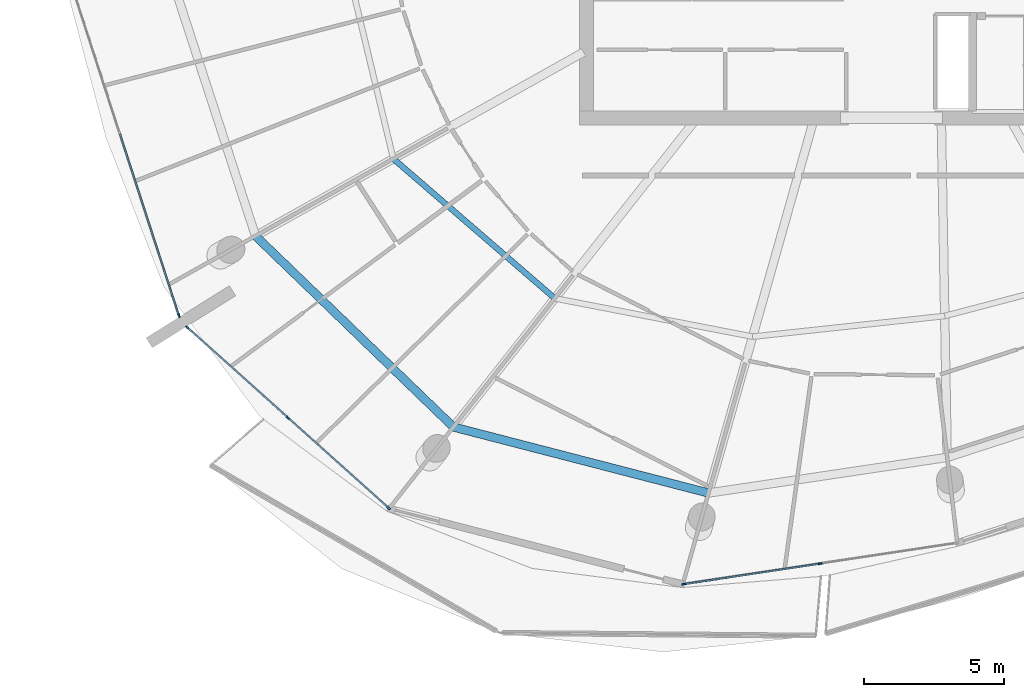
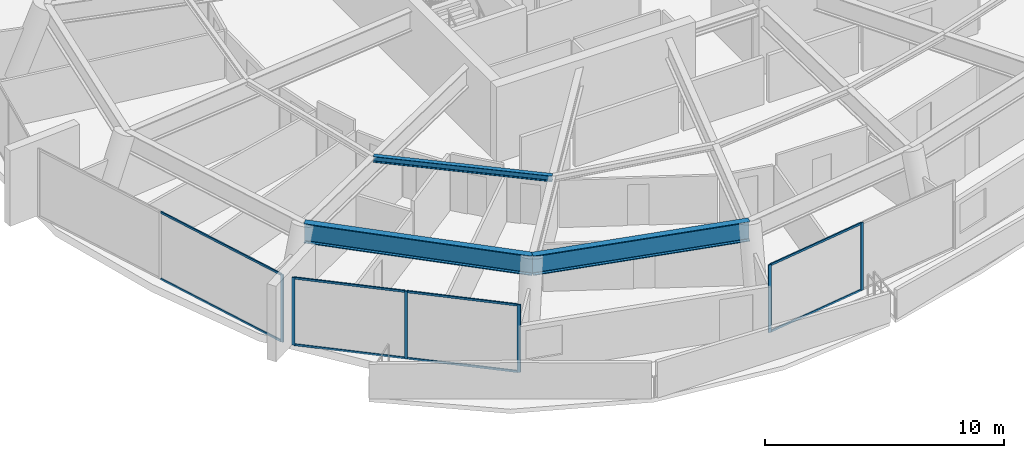
# One storey, part 5 of 27: 14 members, 3 beams, 3 elements without a shape of their own.
"""IFC4 building model written with IfcOpenShell, lengths in metres."""

from ifc_helpers import new_model, si_unit, direction, frame, origin, origin_2d, place, context, subcontext, project, spatial, rectangle, i_section, extrude, material, layer, layer_set, material_profile, profile_set, type_object, element, aggregate, save


model = new_model("IFC4")

# Units and contexts
model_context = context("Model", 3, precision=1e-05, world=origin(), true_north=direction((0.0, 1.0)))
body_context = subcontext(model_context, "Body", "Model", "MODEL_VIEW")
ifc_project = project(units=[si_unit("LENGTHUNIT", "METRE"), si_unit("AREAUNIT", "SQUARE_METRE"), si_unit("VOLUMEUNIT", "CUBIC_METRE"), si_unit("PLANEANGLEUNIT", "RADIAN"), si_unit("MASSUNIT", "GRAM", prefix="KILO")], contexts=[model_context])

# Site, building, storey
site_placement = place(None, origin())
site = spatial("IfcSite", under=ifc_project, at=site_placement, CompositionType="ELEMENT")
building_placement = place(site_placement, origin())
building = spatial("IfcBuilding", under=site, at=building_placement, Name="Kazma Halo Residences", CompositionType="ELEMENT")
storey_placement = place(building_placement, frame((0.0, 0.0, 306.0)))
storey = spatial("IfcBuildingStorey", under=building, at=storey_placement, Name="L77", CompositionType="ELEMENT", Elevation=306.0)

# Beams
ifc_material_1 = material(Name="Steel S355", Category="steel")
ifc_material_profile_1 = material_profile(ifc_material_1, i_section(OverallWidth=0.202880859375, OverallDepth=0.302978515625, WebThickness=0.007568359375, FlangeThickness=0.01318359375, FilletRadius=0.013916015625, at=origin_2d()), Name="W310x60")
ifc_profile_set_1 = profile_set([ifc_material_profile_1], Name="Steel S355")
beam_type_1 = type_object("IfcBeamType", Name="BM-SEC-W310A", PredefinedType="JOIST", material=ifc_profile_set_1)
beam_1_placement = place(storey_placement, frame((30.6689453125, 32.294189453125, 3.298583984375), z_axis=(0.756561787715, -0.653922213546, 0.0), x_axis=(0.653922213546, 0.756561787715, 0.0)))
element("IfcBeam", 1, at=beam_1_placement, inside=storey, type_object=beam_type_1, Name="L77 circumferential floor joist 09", PredefinedType="JOIST", context=body_context, shape_type="SweptSolid", body=[
    extrude(i_section(OverallWidth=0.202880859375, OverallDepth=0.302978515625, WebThickness=0.007568359375, FlangeThickness=0.01318359375, FilletRadius=0.013916015625, at=origin_2d()), origin(), (0.0, 0.0, 1.0), 7.609130859375),
])
ifc_material_profile_2 = material_profile(ifc_material_1, i_section(OverallWidth=0.300048828125, OverallDepth=1.0, WebThickness=0.01904296875, FlangeThickness=0.0400390625, FilletRadius=0.02587890625, at=origin_2d()), Name="W1000x371")
ifc_profile_set_2 = profile_set([ifc_material_profile_2], Name="Steel S355")
beam_type_2 = type_object("IfcBeamType", Name="BM-TRANS-W1000B", PredefinedType="BEAM", material=ifc_profile_set_2)
beam_2_placement = place(storey_placement, frame((25.75830078125, 29.544189453125, 2.949951171875), z_axis=(0.719349543053, -0.694648281441, 0.0), x_axis=(0.694648281441, 0.719349543053, 0.0)))
element("IfcBeam", 2, at=beam_2_placement, inside=storey, type_object=beam_type_2, Name="L77 perimeter ring beam 09", PredefinedType="BEAM", context=body_context, shape_type="SweptSolid", body=[
    extrude(i_section(OverallWidth=0.300048828125, OverallDepth=1.0, WebThickness=0.01904296875, FlangeThickness=0.0400390625, FilletRadius=0.02587890625, at=origin_2d()), origin(), (0.0, 0.0, 1.0), 9.8046875),
])
beam_3_placement = place(storey_placement, frame((32.811279296875, 22.7333984375, 2.949951171875), z_axis=(0.968120285702, -0.250485752913, 0.0), x_axis=(0.250485752913, 0.968120285702, 0.0)))
element("IfcBeam", 3, at=beam_3_placement, inside=storey, type_object=beam_type_2, Name="L77 perimeter ring beam 10", PredefinedType="BEAM", context=body_context, shape_type="SweptSolid", body=[
    extrude(i_section(OverallWidth=0.300048828125, OverallDepth=1.0, WebThickness=0.01904296875, FlangeThickness=0.0400390625, FilletRadius=0.02587890625, at=origin_2d()), origin(), (0.0, 0.0, 1.0), 9.390869140625),
])

# Curtain wall, member
ifc_material_2 = material(Name="Aluminium AW-6063 T6 and Triple-Silver Low-E Glass", Category="aluminium")
ifc_layer = layer(ifc_material_2, 0.139892578125)
ifc_layer_set = layer_set([ifc_layer], Name="Aluminium AW-6063 T6 and Triple-Silver Low-E Glass")
curtain_wall_type = type_object("IfcCurtainWallType", Name="CW-SYS-5", PredefinedType="NOTDEFINED", material=ifc_layer_set)
curtain_wall_1_placement = place(storey_placement, origin())
curtain_wall_1 = element("IfcCurtainWall", 4, at=curtain_wall_1_placement, inside=storey, type_object=curtain_wall_type, Name="L77 unitised curtain wall B08", PredefinedType="NOTDEFINED")
ifc_material_3 = material(Name="Aluminium AW-6063 T6", Category="aluminium")
ifc_material_profile_3 = material_profile(ifc_material_3, rectangle(XDim=0.06005859375, YDim=0.139892578125, at=origin_2d()), Name="CWM-60x140")
ifc_profile_set_3 = profile_set([ifc_material_profile_3], Name="Aluminium AW-6063 T6")
member_type_1 = type_object("IfcMemberType", Name="CW-SYS-5-MUL", PredefinedType="MULLION", material=ifc_profile_set_3)
member_1_placement = place(storey_placement, frame((23.033447265625, 26.70458984375, 0.0), z_axis=(0.0, 0.0, 1.0), x_axis=(0.951056985452, 0.309015550455, 0.0)))
member_1 = element("IfcMember", 5, at=member_1_placement, type_object=member_type_1, Name="CWS-5 mullion 3", PredefinedType="MULLION", context=body_context, shape_type="SweptSolid", body=[
    extrude(rectangle(XDim=0.06005859375, YDim=0.139892578125, at=origin_2d()), origin(), (0.0, 0.0, 1.0), 3.449951171875),
])

# Curtain wall, members
curtain_wall_2_placement = place(storey_placement, origin())
curtain_wall_2 = element("IfcCurtainWall", 6, at=curtain_wall_2_placement, inside=storey, type_object=curtain_wall_type, Name="L77 unitised curtain wall B09", PredefinedType="NOTDEFINED")
member_2_placement = place(storey_placement, frame((23.329345703125, 26.279052734375, 0.0), z_axis=(0.0, 0.0, 1.0), x_axis=(0.667798061868, 0.744342494128, 0.0)))
member_2 = element("IfcMember", 7, at=member_2_placement, type_object=member_type_1, Name="CWS-5 mullion 1", PredefinedType="MULLION", context=body_context, shape_type="SweptSolid", body=[
    extrude(rectangle(XDim=0.06005859375, YDim=0.139892578125, at=origin_2d()), origin(), (0.0, 0.0, 1.0), 3.449951171875),
])
member_3_placement = place(storey_placement, frame((26.913818359375, 23.063232421875, 0.0), z_axis=(0.0, 0.0, 1.0), x_axis=(0.667798061868, 0.744342494128, 0.0)))
member_3 = element("IfcMember", 8, at=member_3_placement, type_object=member_type_1, Name="CWS-5 mullion 2", PredefinedType="MULLION", context=body_context, shape_type="SweptSolid", body=[
    extrude(rectangle(XDim=0.06005859375, YDim=0.139892578125, at=origin_2d()), origin(), (0.0, 0.0, 1.0), 3.449951171875),
])
member_4_placement = place(storey_placement, frame((30.498291015625, 19.847412109375, 0.0), z_axis=(0.0, 0.0, 1.0), x_axis=(0.667798061868, 0.744342494128, 0.0)))
member_4 = element("IfcMember", 9, at=member_4_placement, type_object=member_type_1, Name="CWS-5 mullion 3", PredefinedType="MULLION", context=body_context, shape_type="SweptSolid", body=[
    extrude(rectangle(XDim=0.06005859375, YDim=0.139892578125, at=origin_2d()), origin(), (0.0, 0.0, 1.0), 3.449951171875),
])

curtain_wall_3_placement = place(storey_placement, origin())
curtain_wall_3 = element("IfcCurtainWall", 10, at=curtain_wall_3_placement, inside=storey, type_object=curtain_wall_type, Name="L77 unitised curtain wall B11", PredefinedType="NOTDEFINED")
member_5_placement = place(storey_placement, frame((41.015869140625, 17.134765625, 0.0), z_axis=(0.0, 0.0, 1.0), x_axis=(-0.148747721629, 0.98887517681, 0.0)))
member_5 = element("IfcMember", 11, at=member_5_placement, type_object=member_type_1, Name="CWS-5 mullion 1", PredefinedType="MULLION", context=body_context, shape_type="SweptSolid", body=[
    extrude(rectangle(XDim=0.06005859375, YDim=0.139892578125, at=origin_2d()), origin(), (0.0, 0.0, 1.0), 3.449951171875),
])
member_6_placement = place(storey_placement, frame((45.877685546875, 17.8662109375, 0.0), z_axis=(0.0, 0.0, 1.0), x_axis=(-0.148747721629, 0.98887517681, 0.0)))
member_6 = element("IfcMember", 12, at=member_6_placement, type_object=member_type_1, Name="CWS-5 mullion 2", PredefinedType="MULLION", context=body_context, shape_type="SweptSolid", body=[
    extrude(rectangle(XDim=0.06005859375, YDim=0.139892578125, at=origin_2d()), origin(), (0.0, 0.0, 1.0), 3.449951171875),
])

# Member
ifc_material_profile_4 = material_profile(ifc_material_3, rectangle(XDim=0.06005859375, YDim=0.10498046875, at=origin_2d()), Name="CWT-60x105")
ifc_profile_set_4 = profile_set([ifc_material_profile_4], Name="Aluminium AW-6063 T6")
member_type_2 = type_object("IfcMemberType", Name="CW-SYS-5-TRN", PredefinedType="USERDEFINED", material=ifc_profile_set_4)
member_7_placement = place(storey_placement, frame((20.931640625, 33.17333984375, 0.030029296875), z_axis=(0.309015146423, -0.951057116729, 0.0), x_axis=(0.951057116729, 0.309015146423, 0.0)))
member_7 = element("IfcMember", 13, at=member_7_placement, type_object=member_type_2, Name="CWS-5 transom 2.1", ObjectType="TRANSOM", PredefinedType="USERDEFINED", context=body_context, shape_type="SweptSolid", body=[
    extrude(rectangle(XDim=0.06005859375, YDim=0.10498046875, at=origin_2d()), origin(), (0.0, 0.0, 1.0), 6.771728515625),
])

member_8_placement = place(storey_placement, frame((20.931640625, 33.17333984375, 3.419921875), z_axis=(0.309015146423, -0.951057116729, 0.0), x_axis=(0.951057116729, 0.309015146423, 0.0)))
member_8 = element("IfcMember", 14, at=member_8_placement, type_object=member_type_2, Name="CWS-5 transom 2.2", ObjectType="TRANSOM", PredefinedType="USERDEFINED", context=body_context, shape_type="SweptSolid", body=[
    extrude(rectangle(XDim=0.06005859375, YDim=0.10498046875, at=origin_2d()), origin(), (0.0, 0.0, 1.0), 6.771728515625),
])

aggregate(curtain_wall_1, [member_1, member_7, member_8])

member_9_placement = place(storey_placement, frame((23.351806640625, 26.259033203125, 0.030029296875), z_axis=(0.744367907751, -0.667769734197, 0.0), x_axis=(0.667769734197, 0.744367907751, 0.0)))
member_9 = element("IfcMember", 15, at=member_9_placement, type_object=member_type_2, Name="CWS-5 transom 1.1", ObjectType="TRANSOM", PredefinedType="USERDEFINED", context=body_context, shape_type="SweptSolid", body=[
    extrude(rectangle(XDim=0.06005859375, YDim=0.10498046875, at=origin_2d()), origin(), (0.0, 0.0, 1.0), 4.75537109375),
])

member_10_placement = place(storey_placement, frame((23.351806640625, 26.259033203125, 3.419921875), z_axis=(0.744367907751, -0.667769734197, 0.0), x_axis=(0.667769734197, 0.744367907751, 0.0)))
member_10 = element("IfcMember", 16, at=member_10_placement, type_object=member_type_2, Name="CWS-5 transom 1.2", ObjectType="TRANSOM", PredefinedType="USERDEFINED", context=body_context, shape_type="SweptSolid", body=[
    extrude(rectangle(XDim=0.06005859375, YDim=0.10498046875, at=origin_2d()), origin(), (0.0, 0.0, 1.0), 4.75537109375),
])

member_11_placement = place(storey_placement, frame((26.936279296875, 23.043212890625, 0.030029296875), z_axis=(0.744345013421, -0.667795253798, 0.0), x_axis=(0.667795253798, 0.744345013421, 0.0)))
member_11 = element("IfcMember", 17, at=member_11_placement, type_object=member_type_2, Name="CWS-5 transom 2.1", ObjectType="TRANSOM", PredefinedType="USERDEFINED", context=body_context, shape_type="SweptSolid", body=[
    extrude(rectangle(XDim=0.06005859375, YDim=0.10498046875, at=origin_2d()), origin(), (0.0, 0.0, 1.0), 4.75537109375),
])

member_12_placement = place(storey_placement, frame((26.936279296875, 23.043212890625, 3.419921875), z_axis=(0.744345013421, -0.667795253798, 0.0), x_axis=(0.667795253798, 0.744345013421, 0.0)))
member_12 = element("IfcMember", 18, at=member_12_placement, type_object=member_type_2, Name="CWS-5 transom 2.2", ObjectType="TRANSOM", PredefinedType="USERDEFINED", context=body_context, shape_type="SweptSolid", body=[
    extrude(rectangle(XDim=0.06005859375, YDim=0.10498046875, at=origin_2d()), origin(), (0.0, 0.0, 1.0), 4.75537109375),
])

aggregate(curtain_wall_2, [member_2, member_3, member_4, member_9, member_10, member_11, member_12])

member_13_placement = place(storey_placement, frame((41.04541015625, 17.139404296875, 0.030029296875), z_axis=(0.988875801391, 0.148743569353, 0.0), x_axis=(-0.148743569353, 0.988875801391, 0.0)))
member_13 = element("IfcMember", 19, at=member_13_placement, type_object=member_type_2, Name="CWS-5 transom 1.1", ObjectType="TRANSOM", PredefinedType="USERDEFINED", context=body_context, shape_type="SweptSolid", body=[
    extrude(rectangle(XDim=0.06005859375, YDim=0.10498046875, at=origin_2d()), origin(), (0.0, 0.0, 1.0), 4.856689453125),
])

member_14_placement = place(storey_placement, frame((41.04541015625, 17.139404296875, 3.419921875), z_axis=(0.988875801391, 0.148743569353, 0.0), x_axis=(-0.148743569353, 0.988875801391, 0.0)))
member_14 = element("IfcMember", 20, at=member_14_placement, type_object=member_type_2, Name="CWS-5 transom 1.2", ObjectType="TRANSOM", PredefinedType="USERDEFINED", context=body_context, shape_type="SweptSolid", body=[
    extrude(rectangle(XDim=0.06005859375, YDim=0.10498046875, at=origin_2d()), origin(), (0.0, 0.0, 1.0), 4.856689453125),
])

aggregate(curtain_wall_3, [member_5, member_6, member_13, member_14])

save(model, "model.ifc")
